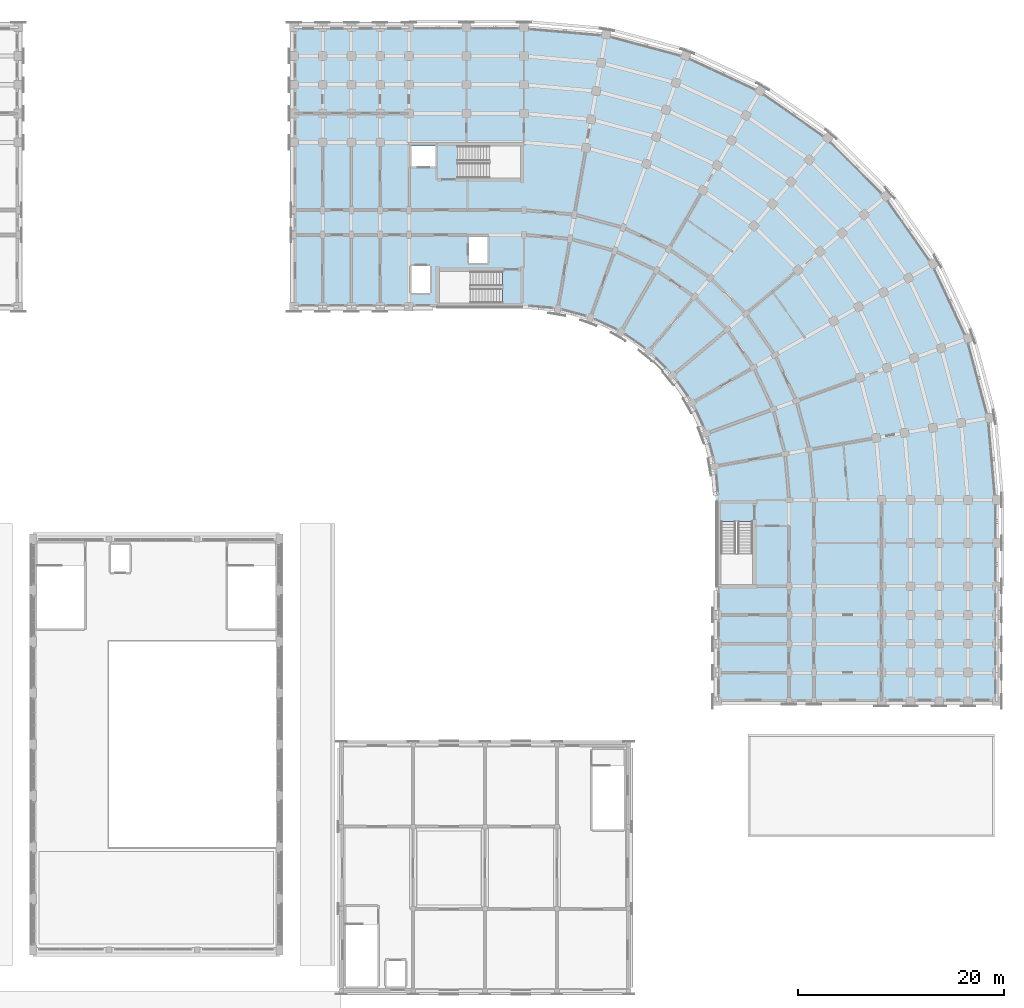
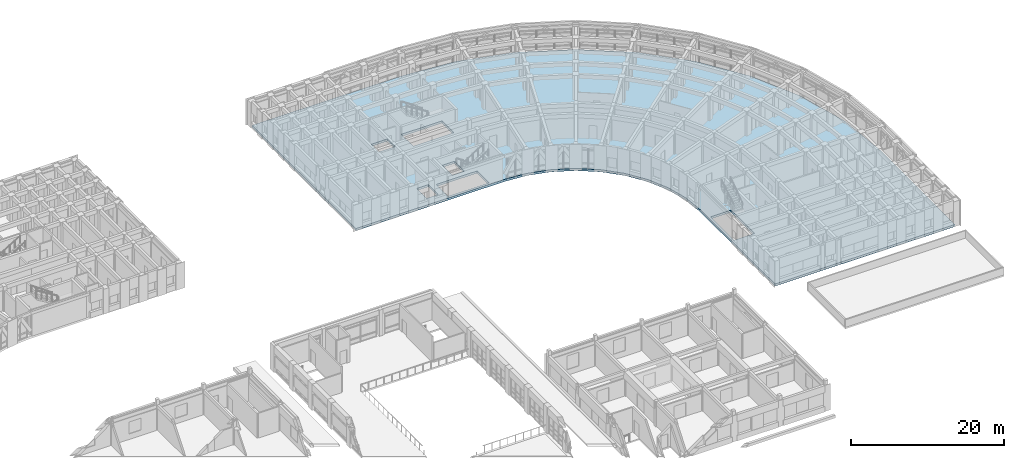
# One storey, part 53 of 97: 1 slab.
"""IFC4 building model written with IfcOpenShell, lengths in metres."""

from ifc_helpers import new_model, si_unit, direction, frame, origin, place, context, subcontext, project, spatial, polyline, outline, extrude, material, layer, layer_set, type_object, element, save


model = new_model("IFC4")

# Units and contexts
model_context = context("Model", 3, precision=1e-05, world=origin(), true_north=direction((0.0, 1.0)))
body_context = subcontext(model_context, "Body", "Model", "MODEL_VIEW")
ifc_project = project(units=[si_unit("LENGTHUNIT", "METRE"), si_unit("AREAUNIT", "SQUARE_METRE"), si_unit("VOLUMEUNIT", "CUBIC_METRE"), si_unit("PLANEANGLEUNIT", "RADIAN"), si_unit("MASSUNIT", "GRAM", prefix="KILO")], contexts=[model_context])

# Site, building, storey
site_placement = place(None, origin())
site = spatial("IfcSite", under=ifc_project, at=site_placement, CompositionType="ELEMENT")
building_placement = place(site_placement, origin())
building = spatial("IfcBuilding", under=site, at=building_placement, Name="Kiranvali Square Residences", CompositionType="ELEMENT")
storey_placement = place(building_placement, frame((0.0, 0.0, 4.5)))
storey = spatial("IfcBuildingStorey", under=building, at=storey_placement, Name="L01", CompositionType="ELEMENT", Elevation=4.5)

# Slab
ifc_material = material(Name="Concrete M45 (45 MPa)", Category="concrete")
ifc_layer = layer(ifc_material, 0.35009765625)
ifc_layer_set = layer_set([ifc_layer], Name="Concrete M45 (45 MPa)")
slab_type = type_object("IfcSlabType", Name="SLB-TRF-350", PredefinedType="FLOOR", material=ifc_layer_set)
slab_placement = place(storey_placement, frame((0.0, 0.0, -0.35009765625)))
element("IfcSlab", 1, at=slab_placement, inside=storey, type_object=slab_type, Name="Block B L01 structural floor slab", PredefinedType="FLOOR", context=body_context, shape_type="SweptSolid", body=[
    extrude(outline(polyline([(119.800048828125, 106.60009765625), (123.064697265625, 106.314453125), (126.22998046875, 105.46630859375), (129.199951171875, 104.081298828125), (131.884521484375, 102.20166015625), (134.20166015625, 99.884521484375), (136.081298828125, 97.199951171875), (137.46630859375, 94.22998046875), (138.314453125, 91.064697265625), (138.60009765625, 87.800048828125), (138.60009765625, 68.199951171875), (165.800048828125, 68.199951171875), (165.800048828125, 87.800048828125), (165.10107421875, 95.787841796875), (163.02587890625, 103.532958984375), (159.63720703125, 110.800048828125), (155.0380859375, 117.3681640625), (149.3681640625, 123.0380859375), (142.800048828125, 127.63720703125), (135.532958984375, 131.02587890625), (127.787841796875, 133.10107421875), (119.800048828125, 133.800048828125), (97.39990234375, 133.800048828125), (97.39990234375, 106.60009765625), (119.800048828125, 106.60009765625)]), holes=[polyline([(108.75, 120.25), (111.199951171875, 120.25), (111.199951171875, 122.25), (108.75, 122.25), (108.75, 120.25)]), polyline([(108.85009765625, 107.949951171875), (110.64990234375, 107.949951171875), (110.64990234375, 110.550048828125), (108.85009765625, 110.550048828125), (108.85009765625, 107.949951171875)]), polyline([(114.449951171875, 110.85009765625), (116.25, 110.85009765625), (116.25, 113.449951171875), (114.449951171875, 113.449951171875), (114.449951171875, 110.85009765625)]), polyline([(113.300048828125, 119.14990234375), (119.449951171875, 119.14990234375), (119.449951171875, 122.25), (113.300048828125, 122.25), (113.300048828125, 119.14990234375)]), polyline([(117.699951171875, 110.050048828125), (111.550048828125, 110.050048828125), (111.550048828125, 106.949951171875), (117.699951171875, 106.949951171875), (117.699951171875, 110.050048828125)]), polyline([(138.949951171875, 85.699951171875), (138.949951171875, 79.550048828125), (142.050048828125, 79.550048828125), (142.050048828125, 85.699951171875), (138.949951171875, 85.699951171875)])]), origin(), (0.0, 0.0, 1.0), 0.35009765625),
])

save(model, "model.ifc")
